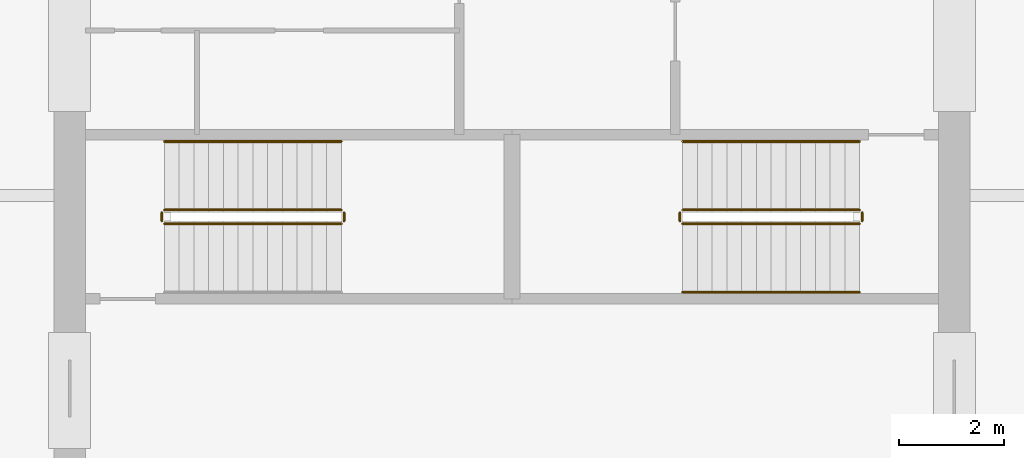
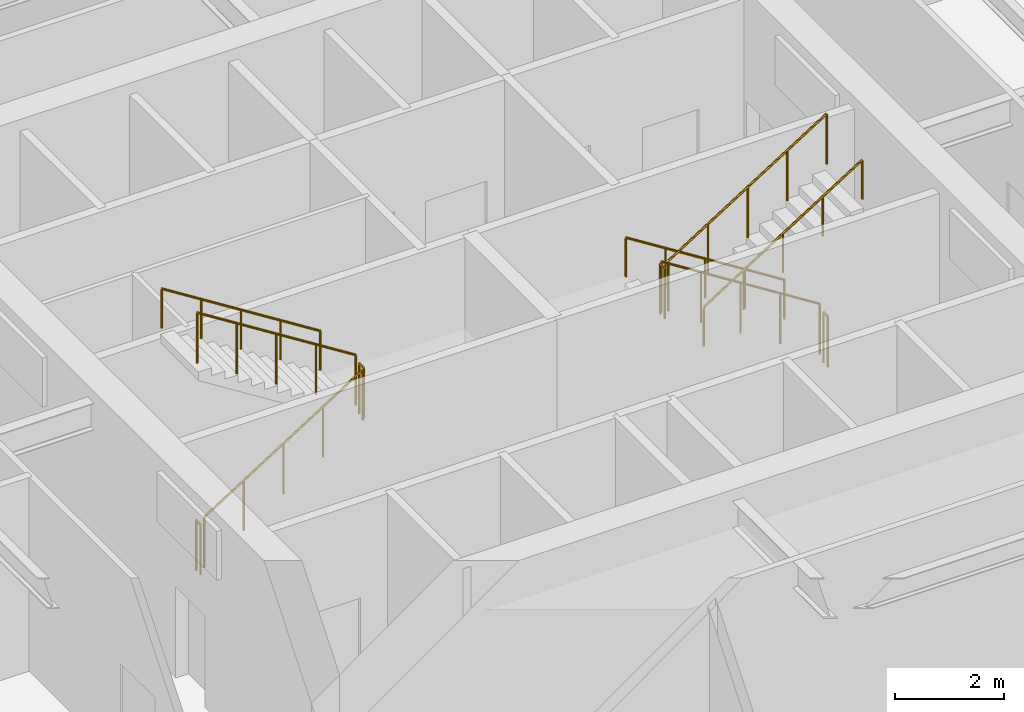
# One storey, part 32 of 33: 11 railings.
"""IFC4 building model written with IfcOpenShell, lengths in metres."""

from ifc_helpers import new_model, si_unit, direction, frame, origin, origin_2d, place, context, subcontext, project, spatial, circle, extrude, material, type_object, element, save


model = new_model("IFC4")

# Units and contexts
model_context = context("Model", 3, precision=1e-05, world=origin(), true_north=direction((0.0, 1.0)))
body_context = subcontext(model_context, "Body", "Model", "MODEL_VIEW")
ifc_project = project(units=[si_unit("LENGTHUNIT", "METRE"), si_unit("AREAUNIT", "SQUARE_METRE"), si_unit("VOLUMEUNIT", "CUBIC_METRE"), si_unit("PLANEANGLEUNIT", "RADIAN"), si_unit("MASSUNIT", "GRAM", prefix="KILO")], contexts=[model_context])

# Site, building, storey
site_placement = place(None, origin())
site = spatial("IfcSite", under=ifc_project, at=site_placement, CompositionType="ELEMENT")
building_placement = place(site_placement, origin())
building = spatial("IfcBuilding", under=site, at=building_placement, Name="Drelvath Grand Hotel", CompositionType="ELEMENT")
storey_placement = place(building_placement, frame((0.0, 0.0, 87.199951171875)))
storey = spatial("IfcBuildingStorey", under=building, at=storey_placement, Name="L21", CompositionType="ELEMENT", Elevation=87.199951171875)

# Railings
ifc_material = material(Name="Painted Steel S275", Category="steel")
railing_type_1 = type_object("IfcRailingType", Name="Core Stair Wall Handrail 900", PredefinedType="HANDRAIL", material=ifc_material)
for number, where, name in (
    (1, (-3.239990234375, 28.030029296875, 2.47705078125), "L21 ST-1 stair handrail 2"),
    (2, (6.60009765625, 28.030029296875, 0.177001953125), "L21 ST-2 stair handrail 1"),
):
    element("IfcRailing", number, at=place(storey_placement, frame(where)), inside=storey, type_object=railing_type_1, Name=name, PredefinedType="HANDRAIL", context=body_context, shape_type="SweptSolid", body=[
        extrude(circle(Radius=0.02392578125, at=origin_2d()), frame((0.0, 0.0, 0.8759765625), z_axis=(-0.845389635667, 0.0, 0.534150132366), x_axis=(0.0, -1.0, 0.0)), (0.0, 0.0, 1.0), 3.974609375),
        extrude(circle(Radius=0.02099609375, at=origin_2d()), origin(), (0.0, 0.0, 1.0), 0.851806640625),
        extrude(circle(Radius=0.02099609375, at=origin_2d()), frame((-0.840087890625, 0.0, 0.53076171875)), (0.0, 0.0, 1.0), 0.851806640625),
        extrude(circle(Radius=0.02099609375, at=origin_2d()), frame((-1.68017578125, 0.0, 1.0615234375)), (0.0, 0.0, 1.0), 0.851806640625),
        extrude(circle(Radius=0.02099609375, at=origin_2d()), frame((-2.52001953125, 0.0, 1.59228515625)), (0.0, 0.0, 1.0), 0.851806640625),
        extrude(circle(Radius=0.02099609375, at=origin_2d()), frame((-3.360107421875, 0.0, 2.123046875)), (0.0, 0.0, 1.0), 0.851806640625),
    ])
railing_1_placement = place(storey_placement, frame((3.239990234375, 25.169921875, 2.47705078125)))
element("IfcRailing", 3, at=railing_1_placement, inside=storey, type_object=railing_type_1, Name="L21 ST-2 stair handrail 2", PredefinedType="HANDRAIL", context=body_context, shape_type="SweptSolid", body=[
    extrude(circle(Radius=0.02392578125, at=origin_2d()), frame((0.0, 0.0, 0.8759765625), z_axis=(0.845389635667, 0.0, 0.534150132366), x_axis=(0.0, 1.0, 0.0)), (0.0, 0.0, 1.0), 3.974609375),
    extrude(circle(Radius=0.02099609375, at=origin_2d()), origin(), (0.0, 0.0, 1.0), 0.851806640625),
    extrude(circle(Radius=0.02099609375, at=origin_2d()), frame((0.840087890625, 0.0, 0.53076171875)), (0.0, 0.0, 1.0), 0.851806640625),
    extrude(circle(Radius=0.02099609375, at=origin_2d()), frame((1.68017578125, 0.0, 1.0615234375)), (0.0, 0.0, 1.0), 0.851806640625),
    extrude(circle(Radius=0.02099609375, at=origin_2d()), frame((2.52001953125, 0.0, 1.59228515625)), (0.0, 0.0, 1.0), 0.851806640625),
    extrude(circle(Radius=0.02099609375, at=origin_2d()), frame((3.360107421875, 0.0, 2.123046875)), (0.0, 0.0, 1.0), 0.851806640625),
])
railing_type_2 = type_object("IfcRailingType", Name="Core Stair Well Guardrail 1100", PredefinedType="GUARDRAIL", material=ifc_material)
railing_2_placement = place(storey_placement, frame((-6.60009765625, 26.469970703125, 0.177001953125)))
element("IfcRailing", 4, at=railing_2_placement, inside=storey, type_object=railing_type_2, Name="L21 ST-1 stair guard 1", PredefinedType="GUARDRAIL", context=body_context, shape_type="SweptSolid", body=[
    extrude(circle(Radius=0.02392578125, at=origin_2d()), frame((0.0, 0.0, 1.1259765625), z_axis=(0.845389635667, 0.0, 0.534150132366), x_axis=(0.0, 1.0, 0.0)), (0.0, 0.0, 1.0), 3.974609375),
    extrude(circle(Radius=0.02099609375, at=origin_2d()), origin(), (0.0, 0.0, 1.0), 1.101806640625),
    extrude(circle(Radius=0.02099609375, at=origin_2d()), frame((0.840087890625, 0.0, 0.53076171875)), (0.0, 0.0, 1.0), 1.101806640625),
    extrude(circle(Radius=0.02099609375, at=origin_2d()), frame((1.68017578125, 0.0, 1.0615234375)), (0.0, 0.0, 1.0), 1.101806640625),
    extrude(circle(Radius=0.02099609375, at=origin_2d()), frame((2.52001953125, 0.0, 1.59228515625)), (0.0, 0.0, 1.0), 1.101806640625),
    extrude(circle(Radius=0.02099609375, at=origin_2d()), frame((3.360107421875, 0.0, 2.123046875)), (0.0, 0.0, 1.0), 1.101806640625),
])
railing_3_placement = place(storey_placement, frame((-3.18994140625, 26.52001953125, 2.300048828125)))
element("IfcRailing", 5, at=railing_3_placement, inside=storey, type_object=railing_type_2, Name="L21 ST-1 stair guard 2", PredefinedType="GUARDRAIL", context=body_context, shape_type="SweptSolid", body=[
    extrude(circle(Radius=0.02392578125, at=origin_2d()), frame((0.0, 0.0, 1.1259765625), z_axis=(0.0, 1.0, 0.0), x_axis=(-1.0, 0.0, 0.0)), (0.0, 0.0, 1.0), 0.159912109375),
    extrude(circle(Radius=0.02099609375, at=origin_2d()), origin(), (0.0, 0.0, 1.0), 1.101806640625),
    extrude(circle(Radius=0.02099609375, at=origin_2d()), frame((0.0, 0.159912109375, 0.0)), (0.0, 0.0, 1.0), 1.101806640625),
])
railing_4_placement = place(storey_placement, frame((-3.239990234375, 26.72998046875, 2.47705078125)))
element("IfcRailing", 6, at=railing_4_placement, inside=storey, type_object=railing_type_2, Name="L21 ST-1 stair guard 3", PredefinedType="GUARDRAIL", context=body_context, shape_type="SweptSolid", body=[
    extrude(circle(Radius=0.02392578125, at=origin_2d()), frame((0.0, 0.0, 1.1259765625), z_axis=(-0.845389635667, 0.0, 0.534150132366), x_axis=(0.0, -1.0, 0.0)), (0.0, 0.0, 1.0), 3.974609375),
    extrude(circle(Radius=0.02099609375, at=origin_2d()), origin(), (0.0, 0.0, 1.0), 1.101806640625),
    extrude(circle(Radius=0.02099609375, at=origin_2d()), frame((-0.840087890625, 0.0, 0.53076171875)), (0.0, 0.0, 1.0), 1.101806640625),
    extrude(circle(Radius=0.02099609375, at=origin_2d()), frame((-1.68017578125, 0.0, 1.0615234375)), (0.0, 0.0, 1.0), 1.101806640625),
    extrude(circle(Radius=0.02099609375, at=origin_2d()), frame((-2.52001953125, 0.0, 1.59228515625)), (0.0, 0.0, 1.0), 1.101806640625),
    extrude(circle(Radius=0.02099609375, at=origin_2d()), frame((-3.360107421875, 0.0, 2.123046875)), (0.0, 0.0, 1.0), 1.101806640625),
])
railing_5_placement = place(storey_placement, frame((-6.64990234375, 26.52001953125, 0.0)))
element("IfcRailing", 7, at=railing_5_placement, inside=storey, type_object=railing_type_2, Name="L21 ST-1 stair guard 4", PredefinedType="GUARDRAIL", context=body_context, shape_type="SweptSolid", body=[
    extrude(circle(Radius=0.02392578125, at=origin_2d()), frame((0.0, 0.0, 1.1259765625), z_axis=(0.0, 1.0, 0.0), x_axis=(-1.0, 0.0, 0.0)), (0.0, 0.0, 1.0), 0.159912109375),
    extrude(circle(Radius=0.02099609375, at=origin_2d()), origin(), (0.0, 0.0, 1.0), 1.101806640625),
    extrude(circle(Radius=0.02099609375, at=origin_2d()), frame((0.0, 0.159912109375, 0.0)), (0.0, 0.0, 1.0), 1.101806640625),
])
railing_6_placement = place(storey_placement, frame((6.60009765625, 26.72998046875, 0.177001953125)))
element("IfcRailing", 8, at=railing_6_placement, inside=storey, type_object=railing_type_2, Name="L21 ST-2 stair guard 1", PredefinedType="GUARDRAIL", context=body_context, shape_type="SweptSolid", body=[
    extrude(circle(Radius=0.02392578125, at=origin_2d()), frame((0.0, 0.0, 1.1259765625), z_axis=(-0.845389635667, 0.0, 0.534150132366), x_axis=(0.0, -1.0, 0.0)), (0.0, 0.0, 1.0), 3.974609375),
    extrude(circle(Radius=0.02099609375, at=origin_2d()), origin(), (0.0, 0.0, 1.0), 1.101806640625),
    extrude(circle(Radius=0.02099609375, at=origin_2d()), frame((-0.840087890625, 0.0, 0.53076171875)), (0.0, 0.0, 1.0), 1.101806640625),
    extrude(circle(Radius=0.02099609375, at=origin_2d()), frame((-1.68017578125, 0.0, 1.0615234375)), (0.0, 0.0, 1.0), 1.101806640625),
    extrude(circle(Radius=0.02099609375, at=origin_2d()), frame((-2.52001953125, 0.0, 1.59228515625)), (0.0, 0.0, 1.0), 1.101806640625),
    extrude(circle(Radius=0.02099609375, at=origin_2d()), frame((-3.360107421875, 0.0, 2.123046875)), (0.0, 0.0, 1.0), 1.101806640625),
])
railing_7_placement = place(storey_placement, frame((3.18994140625, 26.679931640625, 2.300048828125)))
element("IfcRailing", 9, at=railing_7_placement, inside=storey, type_object=railing_type_2, Name="L21 ST-2 stair guard 2", PredefinedType="GUARDRAIL", context=body_context, shape_type="SweptSolid", body=[
    extrude(circle(Radius=0.02392578125, at=origin_2d()), frame((0.0, 0.0, 1.1259765625), z_axis=(0.0, -1.0, 0.0), x_axis=(1.0, 0.0, 0.0)), (0.0, 0.0, 1.0), 0.159912109375),
    extrude(circle(Radius=0.02099609375, at=origin_2d()), origin(), (0.0, 0.0, 1.0), 1.101806640625),
    extrude(circle(Radius=0.02099609375, at=origin_2d()), frame((0.0, -0.159912109375, 0.0)), (0.0, 0.0, 1.0), 1.101806640625),
])
railing_8_placement = place(storey_placement, frame((3.239990234375, 26.469970703125, 2.47705078125)))
element("IfcRailing", 10, at=railing_8_placement, inside=storey, type_object=railing_type_2, Name="L21 ST-2 stair guard 3", PredefinedType="GUARDRAIL", context=body_context, shape_type="SweptSolid", body=[
    extrude(circle(Radius=0.02392578125, at=origin_2d()), frame((0.0, 0.0, 1.1259765625), z_axis=(0.845389635667, 0.0, 0.534150132366), x_axis=(0.0, 1.0, 0.0)), (0.0, 0.0, 1.0), 3.974609375),
    extrude(circle(Radius=0.02099609375, at=origin_2d()), origin(), (0.0, 0.0, 1.0), 1.101806640625),
    extrude(circle(Radius=0.02099609375, at=origin_2d()), frame((0.840087890625, 0.0, 0.53076171875)), (0.0, 0.0, 1.0), 1.101806640625),
    extrude(circle(Radius=0.02099609375, at=origin_2d()), frame((1.68017578125, 0.0, 1.0615234375)), (0.0, 0.0, 1.0), 1.101806640625),
    extrude(circle(Radius=0.02099609375, at=origin_2d()), frame((2.52001953125, 0.0, 1.59228515625)), (0.0, 0.0, 1.0), 1.101806640625),
    extrude(circle(Radius=0.02099609375, at=origin_2d()), frame((3.360107421875, 0.0, 2.123046875)), (0.0, 0.0, 1.0), 1.101806640625),
])
railing_9_placement = place(storey_placement, frame((6.64990234375, 26.679931640625, 0.0)))
element("IfcRailing", 11, at=railing_9_placement, inside=storey, type_object=railing_type_2, Name="L21 ST-2 stair guard 4", PredefinedType="GUARDRAIL", context=body_context, shape_type="SweptSolid", body=[
    extrude(circle(Radius=0.02392578125, at=origin_2d()), frame((0.0, 0.0, 1.1259765625), z_axis=(0.0, -1.0, 0.0), x_axis=(1.0, 0.0, 0.0)), (0.0, 0.0, 1.0), 0.159912109375),
    extrude(circle(Radius=0.02099609375, at=origin_2d()), origin(), (0.0, 0.0, 1.0), 1.101806640625),
    extrude(circle(Radius=0.02099609375, at=origin_2d()), frame((0.0, -0.159912109375, 0.0)), (0.0, 0.0, 1.0), 1.101806640625),
])

save(model, "model.ifc")
